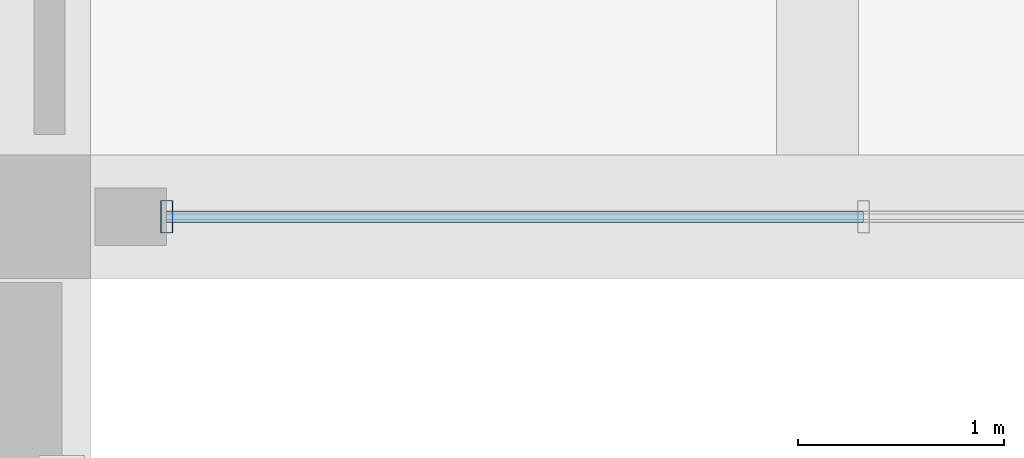
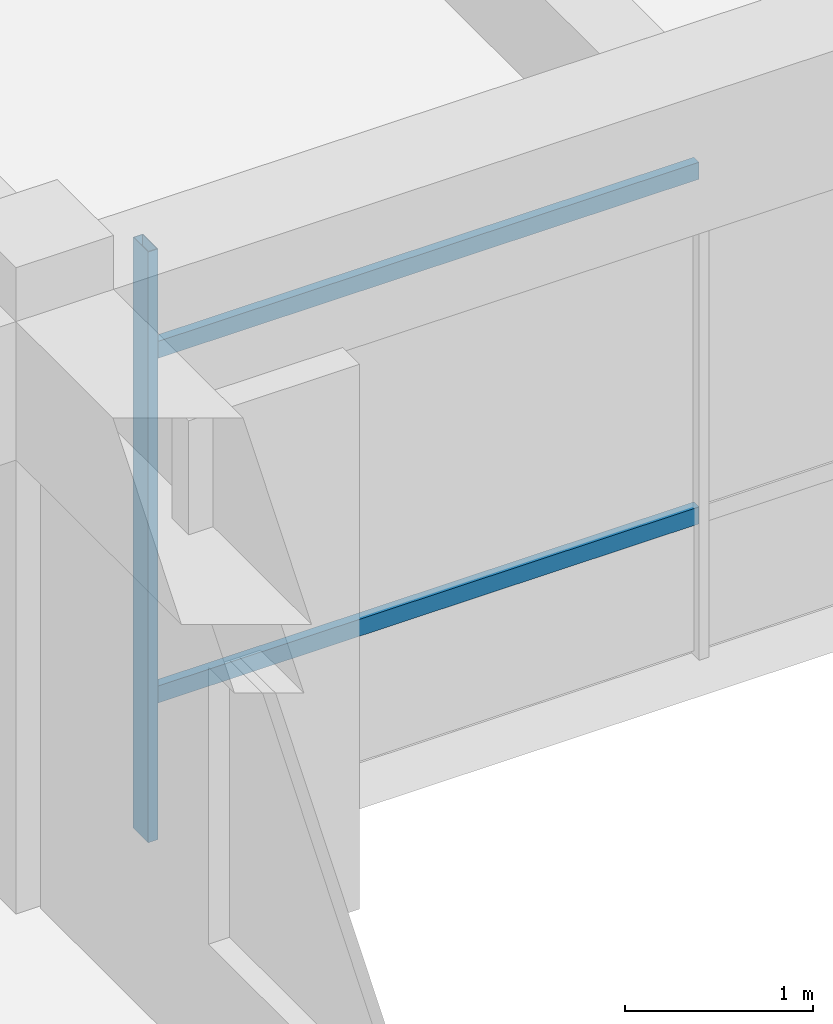
# One storey, part 4 of 98: 3 members, 1 element without a shape of its own.
"""IFC4 building model written with IfcOpenShell, lengths in metres."""

from ifc_helpers import new_model, si_unit, direction, frame, origin, origin_2d, place, context, subcontext, project, spatial, hollow_rectangle, extrude, material, material_profile, profile_set, type_object, element, aggregate, save


model = new_model("IFC4")

# Units and contexts
model_context = context("Model", 3, precision=1e-05, world=origin(), true_north=direction((0.0, 1.0)))
body_context = subcontext(model_context, "Body", "Model", "MODEL_VIEW")
ifc_project = project(units=[si_unit("LENGTHUNIT", "METRE"), si_unit("AREAUNIT", "SQUARE_METRE"), si_unit("VOLUMEUNIT", "CUBIC_METRE"), si_unit("PLANEANGLEUNIT", "RADIAN"), si_unit("MASSUNIT", "GRAM", prefix="KILO")], contexts=[model_context])

# Site, building, storey
site_placement = place(None, origin())
site = spatial("IfcSite", under=ifc_project, at=site_placement, CompositionType="ELEMENT")
building_placement = place(site_placement, origin())
building = spatial("IfcBuilding", under=site, at=building_placement, Name="Ologun Quay Terminus", CompositionType="ELEMENT")
storey_placement = place(building_placement, frame((0.0, 0.0, 4.199951171875)))
storey = spatial("IfcBuildingStorey", under=building, at=storey_placement, Name="L01", CompositionType="ELEMENT", Elevation=4.199951171875)

# Curtain wall, members
ifc_material_1 = material(Name="Aluminium 6063-T6", Category="aluminium")
curtain_wall_type = type_object("IfcCurtainWallType", Name="Forecourt Mezzanine Curtain Wall 10700x3850", PredefinedType="USERDEFINED", material=ifc_material_1)
curtain_wall_placement = place(storey_placement, origin())
curtain_wall = element("IfcCurtainWall", 1, at=curtain_wall_placement, inside=storey, type_object=curtain_wall_type, Name="CW-04 Curtain Wall CW-L01-010", ObjectType="UNITISED CURTAIN WALL", PredefinedType="USERDEFINED")
ifc_material_2 = material(Name="Aluminium 6063-T6", Category="aluminium")
ifc_material_profile_1 = material_profile(ifc_material_2, hollow_rectangle(XDim=0.06005859375, YDim=0.159912109375, WallThickness=0.00390625, at=origin_2d()), Name="ALU 160x60x4")
ifc_profile_set_1 = profile_set([ifc_material_profile_1], Name="Aluminium 6063-T6")
member_type_1 = type_object("IfcMemberType", Name="Curtain Wall Standard Mullion 160x65", PredefinedType="MULLION", material=ifc_profile_set_1)
member_1_placement = place(storey_placement, frame((12.169921875, 27.199951171875, 0.0), z_axis=(0.0, 0.0, 1.0), x_axis=(1.0, 0.0, 0.0)))
member_1 = element("IfcMember", 2, at=member_1_placement, type_object=member_type_1, Name="CW-L01-010 Mullion 1", PredefinedType="MULLION", context=body_context, shape_type="SweptSolid", body=[
    extrude(hollow_rectangle(XDim=0.06005859375, YDim=0.159912109375, WallThickness=0.00390625, at=origin_2d()), origin(), (0.0, 0.0, 1.0), 3.840087890625),
])
ifc_material_3 = material(Name="Aluminium 6063-T6", Category="aluminium")
ifc_material_profile_2 = material_profile(ifc_material_3, hollow_rectangle(XDim=0.054931640625, YDim=0.110107421875, WallThickness=0.00390625, at=origin_2d()), Name="ALU 110x55x4")
ifc_profile_set_2 = profile_set([ifc_material_profile_2], Name="Aluminium 6063-T6")
member_type_2 = type_object("IfcMemberType", Name="Curtain Wall Standard Transom 110x55", PredefinedType="USERDEFINED", material=ifc_profile_set_2)
member_2_placement = place(storey_placement, frame((12.169921875, 27.199951171875, 0.900146484375), z_axis=(1.0, 0.0, 0.0), x_axis=(0.0, 1.0, 0.0)))
member_2 = element("IfcMember", 3, at=member_2_placement, type_object=member_type_2, Name="CW-L01-010 Transom B1-1", ObjectType="TRANSOM", PredefinedType="USERDEFINED", context=body_context, shape_type="SweptSolid", body=[
    extrude(hollow_rectangle(XDim=0.054931640625, YDim=0.110107421875, WallThickness=0.00390625, at=origin_2d()), origin(), (0.0, 0.0, 1.0), 3.38671875),
])
member_3_placement = place(storey_placement, frame((12.169921875, 27.199951171875, 3.14013671875), z_axis=(1.0, 0.0, 0.0), x_axis=(0.0, 1.0, 0.0)))
member_3 = element("IfcMember", 4, at=member_3_placement, type_object=member_type_2, Name="CW-L01-010 Transom B1-2", ObjectType="TRANSOM", PredefinedType="USERDEFINED", context=body_context, shape_type="SweptSolid", body=[
    extrude(hollow_rectangle(XDim=0.054931640625, YDim=0.110107421875, WallThickness=0.00390625, at=origin_2d()), origin(), (0.0, 0.0, 1.0), 3.38671875),
])
aggregate(curtain_wall, [member_1, member_2, member_3])

save(model, "model.ifc")
